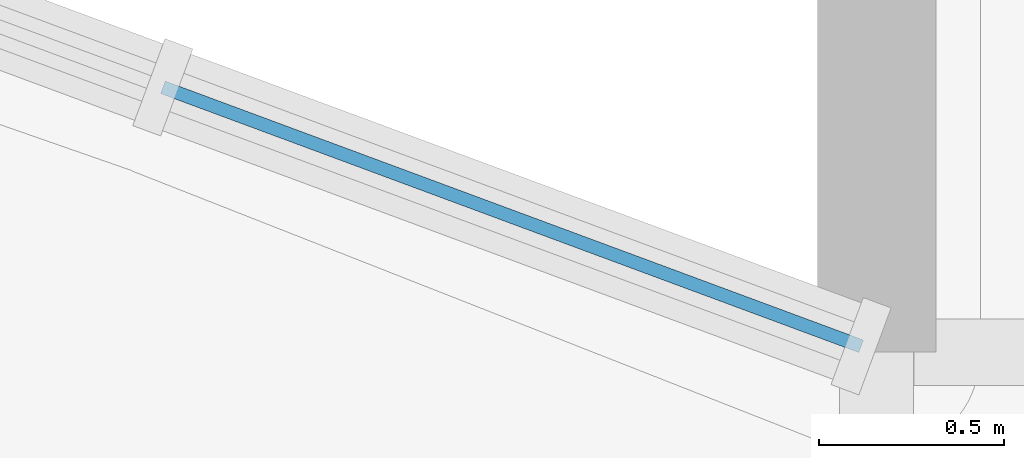
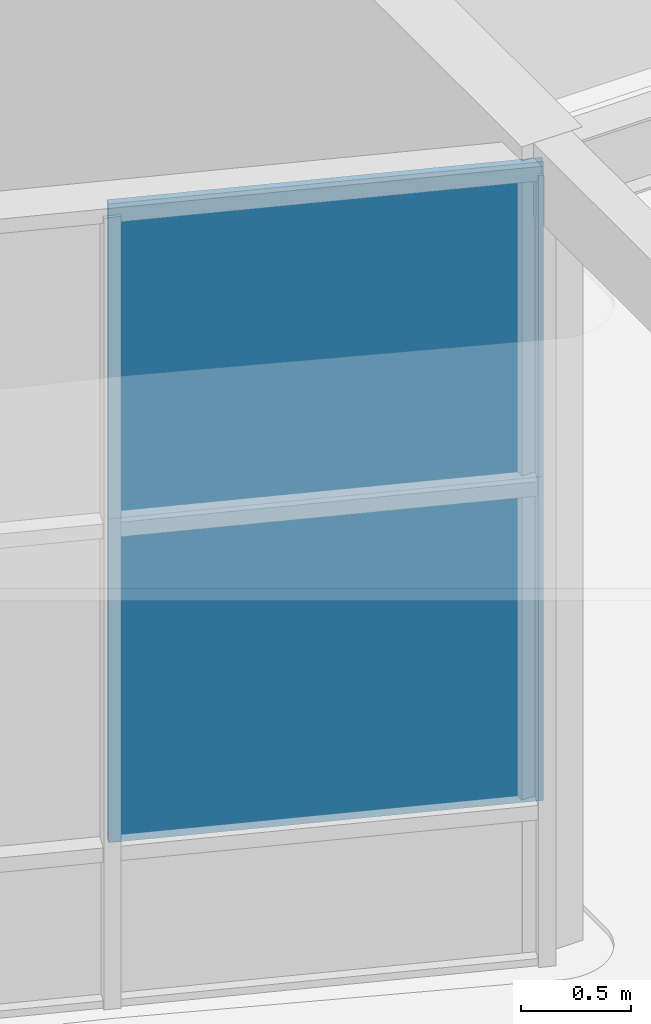
# One storey, part 44 of 72: 2 plates, 1 element without a shape of its own.
"""IFC4 building model written with IfcOpenShell, lengths in metres."""

from ifc_helpers import new_model, si_unit, direction, frame, origin, origin_2d, place, context, subcontext, project, spatial, rectangle, extrude, material, layer, layer_set, type_object, element, aggregate, save


model = new_model("IFC4")

# Units and contexts
model_context = context("Model", 3, precision=1e-05, world=origin(), true_north=direction((0.0, 1.0)))
body_context = subcontext(model_context, "Body", "Model", "MODEL_VIEW")
ifc_project = project(units=[si_unit("LENGTHUNIT", "METRE"), si_unit("AREAUNIT", "SQUARE_METRE"), si_unit("VOLUMEUNIT", "CUBIC_METRE"), si_unit("PLANEANGLEUNIT", "RADIAN"), si_unit("MASSUNIT", "GRAM", prefix="KILO")], contexts=[model_context])

# Site, building, storey
site_placement = place(None, origin())
site = spatial("IfcSite", under=ifc_project, at=site_placement, CompositionType="ELEMENT")
building_placement = place(site_placement, origin())
building = spatial("IfcBuilding", under=site, at=building_placement, Name="Keelwater Ferry Terminal", CompositionType="ELEMENT")
storey_placement = place(building_placement, frame((0.0, 0.0, 5.39990234375)))
storey = spatial("IfcBuildingStorey", under=building, at=storey_placement, Name="L01", CompositionType="ELEMENT", Elevation=5.39990234375)

# Curtain wall, plates
ifc_material_1 = material(Name="Thermally broken unitised aluminium and triple glass", Category="aluminium")
ifc_layer_1 = layer(ifc_material_1, 0.179931640625)
ifc_layer_set_1 = layer_set([ifc_layer_1], Name="Thermally broken unitised aluminium and triple glass")
curtain_wall_type = type_object("IfcCurtainWallType", Name="CW-21 Unitised Curtain Wall 4015x4400", PredefinedType="USERDEFINED", material=ifc_layer_set_1)
curtain_wall_placement = place(storey_placement, origin())
curtain_wall = element("IfcCurtainWall", 1, at=curtain_wall_placement, inside=storey, type_object=curtain_wall_type, Name="Unitised Curtain Wall CW-L01-183", ObjectType="UNITISED CURTAIN WALL", PredefinedType="USERDEFINED")
ifc_material_2 = material(Name="Triple low-E laminated glass", Category="glass")
ifc_layer_2 = layer(ifc_material_2, 0.035888671875)
ifc_layer_set_2 = layer_set([ifc_layer_2], Name="Triple low-E laminated glass")
plate_type = type_object("IfcPlateType", Name="CWP-V1 Glazed Vision Panel 36", PredefinedType="CURTAIN_PANEL", material=ifc_layer_set_2)
plate_1_placement = place(storey_placement, frame((171.01708984375, 120.364990234375, 0.85009765625), z_axis=(0.0, 0.0, 1.0), x_axis=(-0.937592418253, 0.347736189136, 0.0)))
plate_1 = element("IfcPlate", 2, at=plate_1_placement, type_object=plate_type, Name="CW-L01-183 Panel 1.2", PredefinedType="CURTAIN_PANEL", context=body_context, shape_type="SweptSolid", body=[
    extrude(rectangle(XDim=2.00732421875, YDim=0.035888671875, at=origin_2d()), origin(), (0.0, 0.0, 1.0), 1.800048828125),
])
plate_2_placement = place(storey_placement, frame((171.01708984375, 120.364990234375, 2.650146484375), z_axis=(0.0, 0.0, 1.0), x_axis=(-0.937592418253, 0.347736189136, 0.0)))
plate_2 = element("IfcPlate", 3, at=plate_2_placement, type_object=plate_type, Name="CW-L01-183 Panel 1.3", PredefinedType="CURTAIN_PANEL", context=body_context, shape_type="SweptSolid", body=[
    extrude(rectangle(XDim=2.00732421875, YDim=0.035888671875, at=origin_2d()), origin(), (0.0, 0.0, 1.0), 1.75),
])
aggregate(curtain_wall, [plate_1, plate_2])

save(model, "model.ifc")
